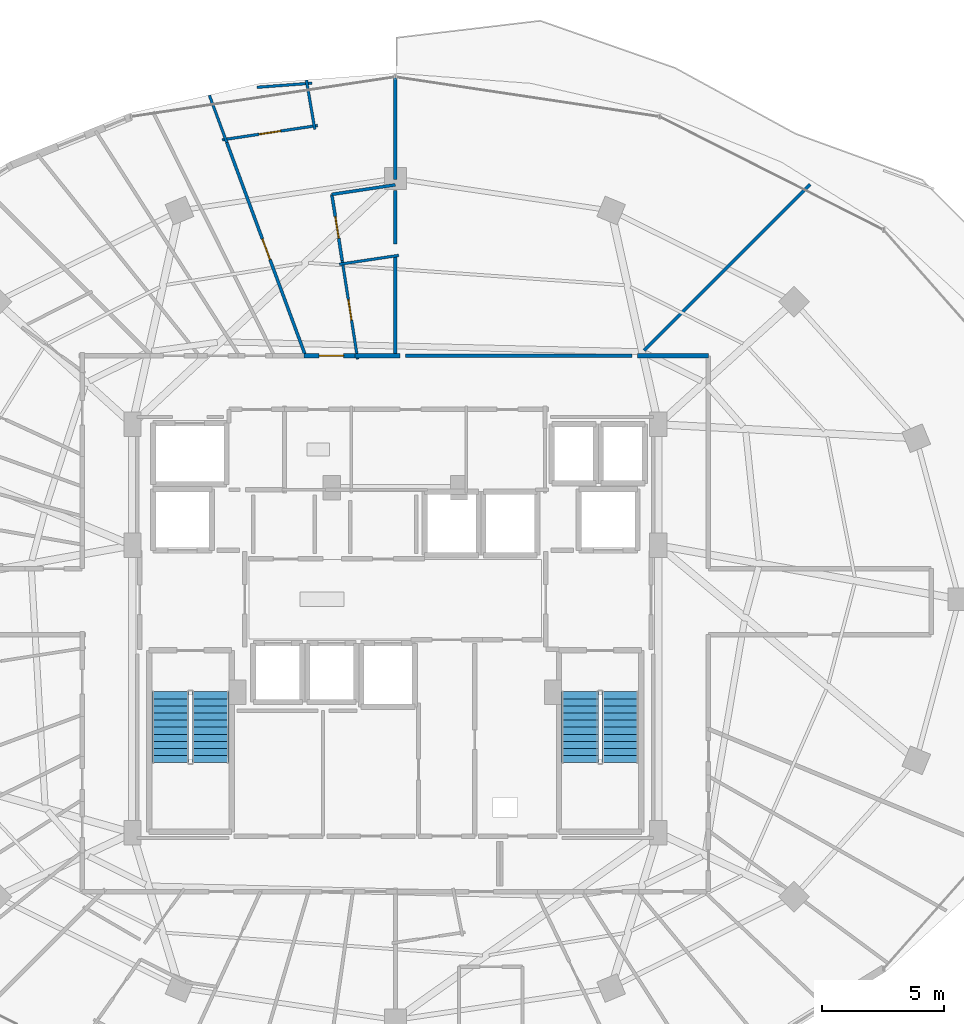
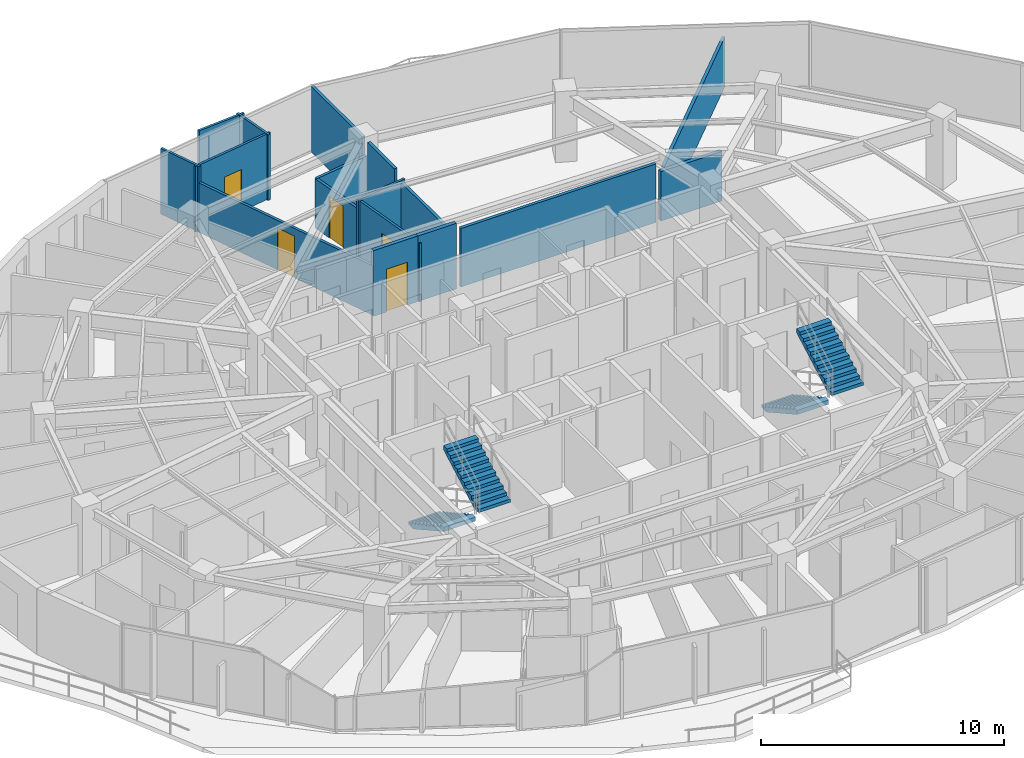
# One storey, part 30 of 33: 17 walls, 5 doors, 4 stair flights, 5 openings, 2 elements without a shape of their own.
"""IFC4 building model written with IfcOpenShell, lengths in metres."""

from ifc_helpers import new_model, si_unit, direction, frame, frame_2d, origin, place, context, subcontext, project, spatial, polyline, rectangle, outline, extrude, material, layer, layer_set, type_object, element, fill, aggregate, save


model = new_model("IFC4")

# Units and contexts
model_context = context("Model", 3, precision=1e-05, world=origin(), true_north=direction((0.0, 1.0)))
body_context = subcontext(model_context, "Body", "Model", "MODEL_VIEW")
ifc_project = project(units=[si_unit("LENGTHUNIT", "METRE"), si_unit("AREAUNIT", "SQUARE_METRE"), si_unit("VOLUMEUNIT", "CUBIC_METRE"), si_unit("PLANEANGLEUNIT", "RADIAN"), si_unit("MASSUNIT", "GRAM", prefix="KILO")], contexts=[model_context])

# Site, building, storey
site_placement = place(None, origin())
site = spatial("IfcSite", under=ifc_project, at=site_placement, CompositionType="ELEMENT")
building_placement = place(site_placement, origin())
building = spatial("IfcBuilding", under=site, at=building_placement, Name="Vorneva Point Tower", CompositionType="ELEMENT")
storey_placement = place(building_placement, frame((0.0, 0.0, 203.64990234375)))
storey = spatial("IfcBuildingStorey", under=building, at=storey_placement, Name="L55", CompositionType="ELEMENT", Elevation=203.64990234375)

# Wall, opening, door
ifc_material_1 = material(Name="Fire-rated acoustic gypsum stud partition", Category="gypsum")
ifc_layer_1 = layer(ifc_material_1, 0.110107421875)
ifc_layer_set_1 = layer_set([ifc_layer_1], Name="Fire-rated acoustic gypsum stud partition")
wall_type_1 = type_object("IfcWallType", Name="WL-PART-110", PredefinedType="PARTITIONING", material=ifc_layer_set_1)
wall_1_placement = place(storey_placement, frame((36.461669921875, 35.811767578125, 0.0), z_axis=(0.0, 0.0, 1.0), x_axis=(-0.154883213323, 0.987932786292, 0.0)))
wall_1 = element("IfcWall", 1, at=wall_1_placement, inside=storey, type_object=wall_type_1, Name="L55 Interior Partition 074", PredefinedType="PARTITIONING", context=body_context, shape_type="SweptSolid", body=[
    extrude(rectangle(XDim=4.0888671875, YDim=0.110107421875, at=frame_2d((2.04443359375, 0.0))), origin(), (0.0, 0.0, 1.0), 2.93603515625),
])
opening_1_placement = place(wall_1_placement, frame((1.619384765625, 0.0, 0.0)))
opening_1 = element("IfcOpeningElement", 2, at=opening_1_placement, cuts=wall_1, Name="Opening ID-02", PredefinedType="OPENING", context=body_context, shape_type="SweptSolid", body=[
    extrude(rectangle(XDim=0.85009765625, YDim=2.10009765625, at=frame_2d((0.425048828125, 1.050048828125))), frame((0.0, 0.06982421875, 0.0), z_axis=(0.0, -1.0, 0.0), x_axis=(1.0, 0.0, 0.0)), (0.0, 0.0, 1.0), 0.139892578125),
])
ifc_material_2 = material(Name="Engineered oak fire-rated door leaf", Category="wood")
door_type_1 = type_object("IfcDoorType", Name="DR-BATH-850", OperationType="NOTDEFINED", PredefinedType="DOOR", material=ifc_material_2)
door_1_placement = place(opening_1_placement, origin())
door_1 = element("IfcDoor", 3, at=door_1_placement, inside=storey, type_object=door_type_1, Name="L55 Door Living and Dining Room L55-01 / Bathroom L55-01", OperationType="SINGLE_SWING_LEFT", OverallHeight=2.10009765625, OverallWidth=0.85009765625, PredefinedType="DOOR", context=body_context, shape_type="SweptSolid", body=[
    extrude(rectangle(XDim=0.85009765625, YDim=2.10009765625, at=frame_2d((0.425048828125, 1.050048828125))), frame((0.0, 0.02490234375, 0.0), z_axis=(0.0, -1.0, 0.0), x_axis=(1.0, 0.0, 0.0)), (0.0, 0.0, 1.0), 0.050048828125),
])
fill(opening_1, door_1)

# Walls
wall_2_placement = place(storey_placement, frame((34.588623046875, 47.095458984375, 0.0), z_axis=(0.0, 0.0, 1.0), x_axis=(-0.997205784552, -0.074703569226, 0.0)))
element("IfcWall", 4, at=wall_2_placement, inside=storey, type_object=wall_type_1, Name="L55 Interior Partition 075", PredefinedType="PARTITIONING", context=body_context, shape_type="SweptSolid", body=[
    extrude(rectangle(XDim=2.24853515625, YDim=0.110107421875, at=frame_2d((1.124267578125, 0.0))), origin(), (0.0, 0.0, 1.0), 3.2900390625),
])
wall_3_placement = place(storey_placement, frame((34.365478515625, 47.218017578125, 0.0), z_axis=(0.0, 0.0, 1.0), x_axis=(0.168804313657, -0.985649584635, 0.0)))
element("IfcWall", 5, at=wall_3_placement, inside=storey, type_object=wall_type_1, Name="L55 Interior Partition 076", PredefinedType="PARTITIONING", context=body_context, shape_type="SweptSolid", body=[
    extrude(rectangle(XDim=2.039306640625, YDim=0.110107421875, at=frame_2d((1.01953125, 0.0))), origin(), (0.0, 0.0, 1.0), 3.2900390625),
])

# Wall, opening, door
wall_4_placement = place(storey_placement, frame((34.824462890625, 45.36669921875, 0.0), z_axis=(0.0, 0.0, 1.0), x_axis=(-0.988877230123, -0.148734070555, 0.0)))
wall_4 = element("IfcWall", 6, at=wall_4_placement, inside=storey, type_object=wall_type_1, Name="L55 Interior Partition 077", PredefinedType="PARTITIONING", context=body_context, shape_type="SweptSolid", body=[
    extrude(rectangle(XDim=3.94287109375, YDim=0.110107421875, at=frame_2d((1.971435546875, 0.0))), origin(), (0.0, 0.0, 1.0), 3.2900390625),
])
opening_2_placement = place(wall_4_placement, frame((1.521240234375, 0.0, 0.0)))
opening_2 = element("IfcOpeningElement", 7, at=opening_2_placement, cuts=wall_4, Name="Opening ID-01", PredefinedType="OPENING", context=body_context, shape_type="SweptSolid", body=[
    extrude(rectangle(XDim=0.89990234375, YDim=2.10009765625, at=frame_2d((0.449951171875, 1.050048828125))), frame((0.0, 0.06982421875, 0.0), z_axis=(0.0, -1.0, 0.0), x_axis=(1.0, 0.0, 0.0)), (0.0, 0.0, 1.0), 0.139892578125),
])
door_type_2 = type_object("IfcDoorType", Name="DR-ROOM-900", OperationType="NOTDEFINED", PredefinedType="DOOR", material=ifc_material_2)
door_2_placement = place(opening_2_placement, origin())
door_2 = element("IfcDoor", 8, at=door_2_placement, inside=storey, type_object=door_type_2, Name="L55 Door Living and Dining Room L55-01 / Kitchen L55-01", OperationType="SINGLE_SWING_RIGHT", OverallHeight=2.10009765625, OverallWidth=0.89990234375, PredefinedType="DOOR", context=body_context, shape_type="SweptSolid", body=[
    extrude(rectangle(XDim=0.89990234375, YDim=2.10009765625, at=frame_2d((0.449951171875, 1.050048828125))), frame((0.0, 0.02490234375, 0.0), z_axis=(0.0, -1.0, 0.0), x_axis=(1.0, 0.0, 0.0)), (0.0, 0.0, 1.0), 0.050048828125),
])
fill(opening_2, door_2)

# Walls
wall_5_placement = place(storey_placement, frame((31.112548828125, 44.669677734375, 0.0), z_axis=(0.0, 0.0, 1.0), x_axis=(-0.346337161188, 0.938110105894, 0.0)))
element("IfcWall", 9, at=wall_5_placement, inside=storey, type_object=wall_type_1, Name="L55 Interior Partition 078", PredefinedType="PARTITIONING", context=body_context, shape_type="SweptSolid", body=[
    extrude(rectangle(XDim=2.05908203125, YDim=0.110107421875, at=frame_2d((1.029541015625, 0.0))), origin(), (0.0, 0.0, 1.0), 3.2900390625),
])
wall_6_placement = place(storey_placement, frame((38.138427734375, 40.056884765625, 0.0), z_axis=(0.0, 0.0, 1.0), x_axis=(-0.988892526147, -0.148632337431, 0.0)))
element("IfcWall", 10, at=wall_6_placement, inside=storey, type_object=wall_type_1, Name="L55 Interior Partition 082", PredefinedType="PARTITIONING", context=body_context, shape_type="SweptSolid", body=[
    extrude(rectangle(XDim=2.4541015625, YDim=0.110107421875, at=frame_2d((1.22705078125, 0.0))), origin(), (0.0, 0.0, 1.0), 3.022216796875),
])
ifc_layer_2 = layer(ifc_material_1, 0.125)
ifc_layer_set_2 = layer_set([ifc_layer_2], Name="Fire-rated acoustic gypsum stud partition")
wall_type_2 = type_object("IfcWallType", Name="WL-PART-125", PredefinedType="PARTITIONING", material=ifc_layer_set_2)
wall_7_placement = place(storey_placement, frame((35.405029296875, 42.550048828125, 0.0), z_axis=(0.0, 0.0, 1.0), x_axis=(0.988900154693, 0.148581573718, 0.0)))
element("IfcWall", 11, at=wall_7_placement, inside=storey, type_object=wall_type_2, Name="L55 Interior Partition 079", PredefinedType="PARTITIONING", context=body_context, shape_type="SweptSolid", body=[
    extrude(rectangle(XDim=2.6240234375, YDim=0.125, at=frame_2d((1.31201171875, 0.0))), origin(), (0.0, 0.0, 1.0), 2.482177734375),
])

# Wall, opening, door
wall_8_placement = place(storey_placement, frame((35.828369140625, 39.851318359375, 0.0), z_axis=(0.0, 0.0, 1.0), x_axis=(-0.154971189464, 0.987918989814, 0.0)))
wall_8 = element("IfcWall", 12, at=wall_8_placement, inside=storey, type_object=wall_type_2, Name="L55 Interior Partition 080", PredefinedType="PARTITIONING", context=body_context, shape_type="SweptSolid", body=[
    extrude(rectangle(XDim=2.731689453125, YDim=0.125, at=frame_2d((1.36572265625, 0.0))), origin(), (0.0, 0.0, 1.0), 2.482177734375),
])
opening_3_placement = place(wall_8_placement, frame((0.915771484375, 0.0, 0.0)))
opening_3 = element("IfcOpeningElement", 13, at=opening_3_placement, cuts=wall_8, Name="Opening ID-01", PredefinedType="OPENING", context=body_context, shape_type="SweptSolid", body=[
    extrude(rectangle(XDim=0.89990234375, YDim=2.10009765625, at=frame_2d((0.449951171875, 1.050048828125))), frame((0.0, 0.077392578125, 0.0), z_axis=(0.0, -1.0, 0.0), x_axis=(1.0, 0.0, 0.0)), (0.0, 0.0, 1.0), 0.15478515625),
])
door_3_placement = place(opening_3_placement, origin())
door_3 = element("IfcDoor", 14, at=door_3_placement, inside=storey, type_object=door_type_2, Name="L55 Door Living and Dining Room L55-01 / Study Room L55-01", OperationType="SINGLE_SWING_LEFT", OverallHeight=2.10009765625, OverallWidth=0.89990234375, PredefinedType="DOOR", context=body_context, shape_type="SweptSolid", body=[
    extrude(rectangle(XDim=0.89990234375, YDim=2.10009765625, at=frame_2d((0.449951171875, 1.050048828125))), frame((0.0, 0.02490234375, 0.0), z_axis=(0.0, -1.0, 0.0), x_axis=(1.0, 0.0, 0.0)), (0.0, 0.0, 1.0), 0.050048828125),
])
fill(opening_3, door_3)

wall_9_placement = place(storey_placement, frame((31.1123046875, 44.669677734375, 0.0), z_axis=(0.0, 0.0, 1.0), x_axis=(0.346109472243, -0.938194134081, 0.0)))
wall_9 = element("IfcWall", 15, at=wall_9_placement, inside=storey, type_object=wall_type_2, Name="L55 Interior Partition 081", PredefinedType="PARTITIONING", context=body_context, shape_type="SweptSolid", body=[
    extrude(rectangle(XDim=9.294189453125, YDim=0.125, at=frame_2d((4.64697265625, 0.0))), origin(), (0.0, 0.0, 1.0), 2.482177734375),
])
opening_4_placement = place(wall_9_placement, frame((4.197021484375, 0.0, 0.0)))
opening_4 = element("IfcOpeningElement", 16, at=opening_4_placement, cuts=wall_9, Name="Opening ID-01", PredefinedType="OPENING", context=body_context, shape_type="SweptSolid", body=[
    extrude(rectangle(XDim=0.89990234375, YDim=2.10009765625, at=frame_2d((0.449951171875, 1.050048828125))), frame((0.0, 0.077392578125, 0.0), z_axis=(0.0, -1.0, 0.0), x_axis=(1.0, 0.0, 0.0)), (0.0, 0.0, 1.0), 0.15478515625),
])
door_4_placement = place(opening_4_placement, origin())
door_4 = element("IfcDoor", 17, at=door_4_placement, inside=storey, type_object=door_type_2, Name="L55 Door Living and Dining Room L55-01 / Master Bedroom L55-01.1", OperationType="SINGLE_SWING_RIGHT", OverallHeight=2.10009765625, OverallWidth=0.89990234375, PredefinedType="DOOR", context=body_context, shape_type="SweptSolid", body=[
    extrude(rectangle(XDim=0.89990234375, YDim=2.10009765625, at=frame_2d((0.449951171875, 1.050048828125))), frame((0.0, 0.02490234375, 0.0), z_axis=(0.0, -1.0, 0.0), x_axis=(1.0, 0.0, 0.0)), (0.0, 0.0, 1.0), 0.050048828125),
])
fill(opening_4, door_4)

# Walls
ifc_layer_3 = layer(ifc_material_1, 0.139892578125)
ifc_layer_set_3 = layer_set([ifc_layer_3], Name="Fire-rated acoustic gypsum stud partition")
wall_type_3 = type_object("IfcWallType", Name="WL-PART-140", PredefinedType="PARTITIONING", material=ifc_layer_set_3)
wall_10_placement = place(storey_placement, frame((47.669921875, 35.949951171875, 0.0), z_axis=(0.0, 0.0, 1.0), x_axis=(-1.0, 0.0, 0.0)))
element("IfcWall", 18, at=wall_10_placement, inside=storey, type_object=wall_type_3, Name="L55 Interior Closure Partition 164", PredefinedType="PARTITIONING", context=body_context, shape_type="SweptSolid", body=[
    extrude(rectangle(XDim=9.25, YDim=0.139892578125, at=frame_2d((4.625, 0.0))), origin(), (0.0, 0.0, 1.0), 2.93603515625),
])
wall_11_placement = place(storey_placement, frame((38.0, 43.159912109375, 0.0), z_axis=(0.0, 0.0, 1.0), x_axis=(0.0, 1.0, 0.0)))
element("IfcWall", 19, at=wall_11_placement, inside=storey, type_object=wall_type_3, Name="L55 Interior Closure Partition 176", PredefinedType="PARTITIONING", context=body_context, shape_type="SweptSolid", body=[
    extrude(rectangle(XDim=4.190185546875, YDim=0.139892578125, at=frame_2d((2.09521484375, 0.0))), origin(), (0.0, 0.0, 1.0), 3.2900390625),
])
wall_12_placement = place(storey_placement, frame((38.0, 35.919921875, 0.0), z_axis=(0.0, 0.0, 1.0), x_axis=(0.0, 1.0, 0.0)))
element("IfcWall", 20, at=wall_12_placement, inside=storey, type_object=wall_type_3, Name="L55 Interior Closure Partition 177", PredefinedType="PARTITIONING", context=body_context, shape_type="SweptSolid", body=[
    extrude(rectangle(XDim=4.14501953125, YDim=0.139892578125, at=frame_2d((2.072509765625, 0.0))), origin(), (0.0, 0.0, 1.0), 2.93603515625),
])
wall_13_placement = place(storey_placement, frame((38.0, 40.514892578125, 0.0), z_axis=(0.0, 0.0, 1.0), x_axis=(0.0, 1.0, 0.0)))
element("IfcWall", 21, at=wall_13_placement, inside=storey, type_object=wall_type_3, Name="L55 Interior Closure Partition 178", PredefinedType="PARTITIONING", context=body_context, shape_type="SweptSolid", body=[
    extrude(rectangle(XDim=2.195068359375, YDim=0.139892578125, at=frame_2d((1.09765625, 0.0))), origin(), (0.0, 0.0, 1.0), 3.2900390625),
])
wall_14_placement = place(storey_placement, frame((54.958984375, 42.958984375, 0.0), z_axis=(0.0, 0.0, 1.0), x_axis=(-0.707106781187, -0.707106781187, 0.0)))
element("IfcWall", 22, at=wall_14_placement, inside=storey, type_object=wall_type_3, Name="L55 Interior Closure Partition 179", PredefinedType="PARTITIONING", context=body_context, shape_type="SweptSolid", body=[
    extrude(rectangle(XDim=9.60107421875, YDim=0.139892578125, at=frame_2d((4.800537109375, 0.0))), origin(), (0.0, 0.0, 1.0), 2.482177734375),
])

# Wall, opening, door
ifc_material_3 = material(Name="Autoclaved aerated concrete blockwork", Category="masonry")
ifc_layer_4 = layer(ifc_material_3, 0.179931640625)
ifc_layer_set_4 = layer_set([ifc_layer_4], Name="Autoclaved aerated concrete blockwork")
wall_type_4 = type_object("IfcWallType", Name="WL-PART-180", PredefinedType="PARTITIONING", material=ifc_layer_set_4)
wall_15_placement = place(storey_placement, frame((36.5, 35.949951171875, 0.0), z_axis=(0.0, 0.0, 1.0), x_axis=(-1.0, 0.0, 0.0)))
wall_15 = element("IfcWall", 23, at=wall_15_placement, inside=storey, type_object=wall_type_4, Name="L55 Interior Partition 029", PredefinedType="PARTITIONING", context=body_context, shape_type="SweptSolid", body=[
    extrude(rectangle(XDim=2.235107421875, YDim=0.179931640625, at=frame_2d((1.11767578125, 0.0))), origin(), (0.0, 0.0, 1.0), 3.2900390625),
])
opening_5_placement = place(wall_15_placement, frame((0.617431640625, 0.0, 0.0)))
opening_5 = element("IfcOpeningElement", 24, at=opening_5_placement, cuts=wall_15, Name="Opening UD-01", PredefinedType="OPENING", context=body_context, shape_type="SweptSolid", body=[
    extrude(rectangle(XDim=1.0, YDim=2.14990234375, at=frame_2d((0.5, 1.074951171875))), frame((0.0, 0.10498046875, 0.0), z_axis=(0.0, -1.0, 0.0), x_axis=(1.0, 0.0, 0.0)), (0.0, 0.0, 1.0), 0.209716796875),
])
door_type_3 = type_object("IfcDoorType", Name="DR-UNIT-1000", OperationType="NOTDEFINED", PredefinedType="DOOR", material=ifc_material_2)
door_5_placement = place(opening_5_placement, origin())
door_5 = element("IfcDoor", 25, at=door_5_placement, inside=storey, type_object=door_type_3, Name="L55 Door L55 Circulation Corridor / Living and Dining Room L55-01", OperationType="SINGLE_SWING_LEFT", OverallHeight=2.14990234375, OverallWidth=1.0, PredefinedType="DOOR", context=body_context, shape_type="SweptSolid", body=[
    extrude(rectangle(XDim=1.0, YDim=2.14990234375, at=frame_2d((0.5, 1.074951171875))), frame((0.0, 0.02490234375, 0.0), z_axis=(0.0, -1.0, 0.0), x_axis=(1.0, 0.0, 0.0)), (0.0, 0.0, 1.0), 0.050048828125),
])
fill(opening_5, door_5)

# Walls
wall_16_placement = place(storey_placement, frame((38.199951171875, 35.949951171875, 0.0), z_axis=(0.0, 0.0, 1.0), x_axis=(-1.0, 0.0, 0.0)))
element("IfcWall", 26, at=wall_16_placement, inside=storey, type_object=wall_type_4, Name="L55 Interior Partition 030", PredefinedType="PARTITIONING", context=body_context, shape_type="SweptSolid", body=[
    extrude(rectangle(XDim=1.83984375, YDim=0.179931640625, at=frame_2d((0.919921875, 0.0))), origin(), (0.0, 0.0, 1.0), 3.2900390625),
])
wall_17_placement = place(storey_placement, frame((50.800048828125, 35.949951171875, 0.0), z_axis=(0.0, 0.0, 1.0), x_axis=(-1.0, 0.0, 0.0)))
element("IfcWall", 27, at=wall_17_placement, inside=storey, type_object=wall_type_4, Name="L55 Interior Partition 073", PredefinedType="PARTITIONING", context=body_context, shape_type="SweptSolid", body=[
    extrude(rectangle(XDim=2.91015625, YDim=0.179931640625, at=frame_2d((1.455078125, 0.0))), origin(), (0.0, 0.0, 1.0), 2.482177734375),
])

# Stair, stair flights
ifc_material_4 = material(Name="Concrete B50 (C40/50)", Category="concrete")
stair_type = type_object("IfcStairType", Name="ST-DOG-1500", PredefinedType="HALF_TURN_STAIR", material=ifc_material_4)
stair_1_placement = place(storey_placement, origin())
stair_1 = element("IfcStair", 28, at=stair_1_placement, inside=storey, type_object=stair_type, Name="L55 ST1", PredefinedType="HALF_TURN_STAIR")
stair_flight_type = type_object("IfcStairFlightType", Name="STF-1500", PredefinedType="STRAIGHT", material=ifc_material_4)
stair_flight_1_placement = place(storey_placement, frame((28.800048828125, 22.219970703125, 0.0), z_axis=(0.0, 0.0, 1.0), x_axis=(0.0, -1.0, 0.0)))
stair_flight_1 = element("IfcStairFlight", 29, at=stair_flight_1_placement, type_object=stair_flight_type, Name="ST1 flight 1", NumberOfRisers=11, NumberOfTreads=10, PredefinedType="STRAIGHT", RiserHeight=0.161363636, TreadLength=0.29, context=body_context, shape_type="SweptSolid", body=[
    extrude(outline(polyline([(0.0, 0.0), (0.0, 0.161376953125), (0.2900390625, 0.161376953125), (0.2900390625, 0.32275390625), (0.580078125, 0.32275390625), (0.580078125, 0.484130859375), (0.8701171875, 0.484130859375), (0.8701171875, 0.6455078125), (1.159912109375, 0.6455078125), (1.159912109375, 0.806884765625), (1.449951171875, 0.806884765625), (1.449951171875, 0.96826171875), (1.739990234375, 0.96826171875), (1.739990234375, 1.129638671875), (2.030029296875, 1.129638671875), (2.030029296875, 1.291015625), (2.320068359375, 1.291015625), (2.320068359375, 1.452392578125), (2.610107421875, 1.452392578125), (2.610107421875, 1.613525390625), (2.89990234375, 1.613525390625), (2.89990234375, 1.77490234375), (2.89990234375, 1.40771484375), (0.3701171875, 0.0), (0.0, 0.0)])), frame((0.0, 0.75, 0.0), z_axis=(0.0, -1.0, 0.0), x_axis=(1.0, 0.0, 0.0)), (0.0, 0.0, 1.0), 1.5),
])
stair_flight_2_placement = place(storey_placement, frame((30.449951171875, 19.320068359375, 1.775146484375), z_axis=(0.0, 0.0, 1.0), x_axis=(0.0, 1.0, 0.0)))
stair_flight_2 = element("IfcStairFlight", 30, at=stair_flight_2_placement, type_object=stair_flight_type, Name="ST1 flight 2", NumberOfRisers=11, NumberOfTreads=10, PredefinedType="STRAIGHT", RiserHeight=0.161363636, TreadLength=0.29, context=body_context, shape_type="SweptSolid", body=[
    extrude(outline(polyline([(0.0, 0.0), (0.0, 0.161376953125), (0.2900390625, 0.161376953125), (0.2900390625, 0.32275390625), (0.580078125, 0.32275390625), (0.580078125, 0.484130859375), (0.8701171875, 0.484130859375), (0.8701171875, 0.6455078125), (1.159912109375, 0.6455078125), (1.159912109375, 0.806884765625), (1.449951171875, 0.806884765625), (1.449951171875, 0.96826171875), (1.739990234375, 0.96826171875), (1.739990234375, 1.129638671875), (2.030029296875, 1.129638671875), (2.030029296875, 1.291015625), (2.320068359375, 1.291015625), (2.320068359375, 1.452392578125), (2.610107421875, 1.452392578125), (2.610107421875, 1.613525390625), (2.89990234375, 1.613525390625), (2.89990234375, 1.77490234375), (2.89990234375, 1.40771484375), (0.3701171875, 0.0), (0.0, 0.0)])), frame((0.0, 0.75, 0.0), z_axis=(0.0, -1.0, 0.0), x_axis=(1.0, 0.0, 0.0)), (0.0, 0.0, 1.0), 1.5),
])
aggregate(stair_1, [stair_flight_1, stair_flight_2])

stair_2_placement = place(storey_placement, origin())
stair_2 = element("IfcStair", 31, at=stair_2_placement, inside=storey, type_object=stair_type, Name="L55 ST2", PredefinedType="HALF_TURN_STAIR")
stair_flight_3_placement = place(storey_placement, frame((45.550048828125, 22.219970703125, 0.0), z_axis=(0.0, 0.0, 1.0), x_axis=(0.0, -1.0, 0.0)))
stair_flight_3 = element("IfcStairFlight", 32, at=stair_flight_3_placement, type_object=stair_flight_type, Name="ST2 flight 1", NumberOfRisers=11, NumberOfTreads=10, PredefinedType="STRAIGHT", RiserHeight=0.161363636, TreadLength=0.29, context=body_context, shape_type="SweptSolid", body=[
    extrude(outline(polyline([(0.0, 0.0), (0.0, 0.161376953125), (0.2900390625, 0.161376953125), (0.2900390625, 0.32275390625), (0.580078125, 0.32275390625), (0.580078125, 0.484130859375), (0.8701171875, 0.484130859375), (0.8701171875, 0.6455078125), (1.159912109375, 0.6455078125), (1.159912109375, 0.806884765625), (1.449951171875, 0.806884765625), (1.449951171875, 0.96826171875), (1.739990234375, 0.96826171875), (1.739990234375, 1.129638671875), (2.030029296875, 1.129638671875), (2.030029296875, 1.291015625), (2.320068359375, 1.291015625), (2.320068359375, 1.452392578125), (2.610107421875, 1.452392578125), (2.610107421875, 1.613525390625), (2.89990234375, 1.613525390625), (2.89990234375, 1.77490234375), (2.89990234375, 1.40771484375), (0.3701171875, 0.0), (0.0, 0.0)])), frame((0.0, 0.75, 0.0), z_axis=(0.0, -1.0, 0.0), x_axis=(1.0, 0.0, 0.0)), (0.0, 0.0, 1.0), 1.5),
])
stair_flight_4_placement = place(storey_placement, frame((47.199951171875, 19.320068359375, 1.775146484375), z_axis=(0.0, 0.0, 1.0), x_axis=(0.0, 1.0, 0.0)))
stair_flight_4 = element("IfcStairFlight", 33, at=stair_flight_4_placement, type_object=stair_flight_type, Name="ST2 flight 2", NumberOfRisers=11, NumberOfTreads=10, PredefinedType="STRAIGHT", RiserHeight=0.161363636, TreadLength=0.29, context=body_context, shape_type="SweptSolid", body=[
    extrude(outline(polyline([(0.0, 0.0), (0.0, 0.161376953125), (0.2900390625, 0.161376953125), (0.2900390625, 0.32275390625), (0.580078125, 0.32275390625), (0.580078125, 0.484130859375), (0.8701171875, 0.484130859375), (0.8701171875, 0.6455078125), (1.159912109375, 0.6455078125), (1.159912109375, 0.806884765625), (1.449951171875, 0.806884765625), (1.449951171875, 0.96826171875), (1.739990234375, 0.96826171875), (1.739990234375, 1.129638671875), (2.030029296875, 1.129638671875), (2.030029296875, 1.291015625), (2.320068359375, 1.291015625), (2.320068359375, 1.452392578125), (2.610107421875, 1.452392578125), (2.610107421875, 1.613525390625), (2.89990234375, 1.613525390625), (2.89990234375, 1.77490234375), (2.89990234375, 1.40771484375), (0.3701171875, 0.0), (0.0, 0.0)])), frame((0.0, 0.75, 0.0), z_axis=(0.0, -1.0, 0.0), x_axis=(1.0, 0.0, 0.0)), (0.0, 0.0, 1.0), 1.5),
])
aggregate(stair_2, [stair_flight_3, stair_flight_4])

save(model, "model.ifc")
